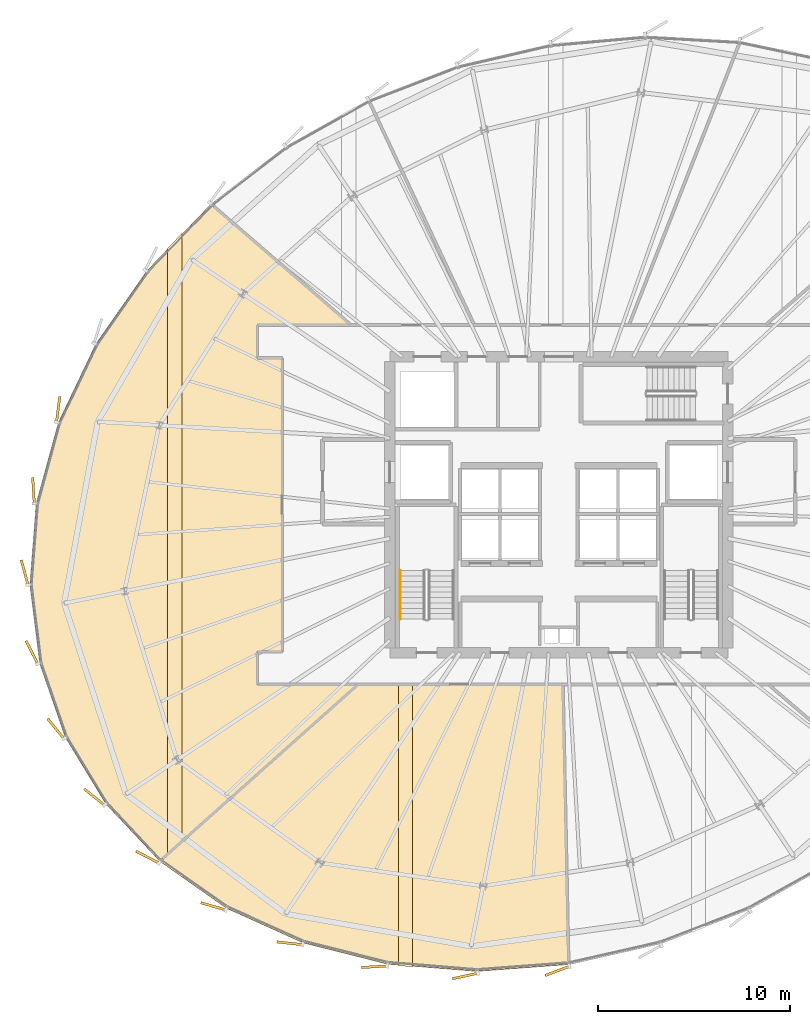
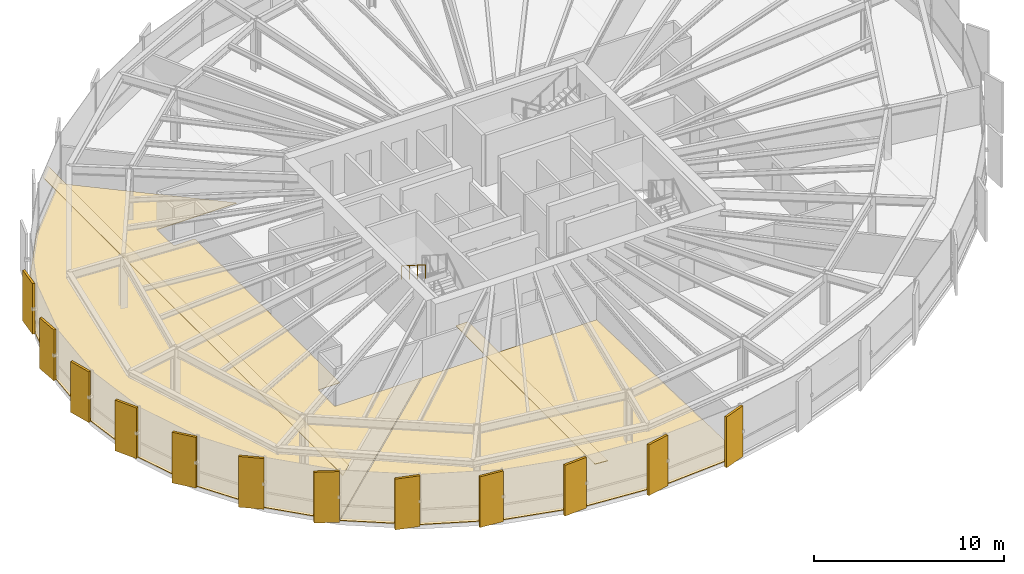
# One storey, part 32 of 35: 16 coverings, 1 railing.
"""IFC4 building model written with IfcOpenShell, lengths in metres."""

import ifcopenshell
import ifcopenshell.guid

model = None  # the IFC model being written
_history = None  # IfcOwnerHistory: only IFC2X3 demands one
_inside = {}  # id of a spatial element -> (the spatial element, [elements in it])
_under = {}  # id of a project, library or spatial element -> (it, [spatial elements below it])
_declared = {}  # id of a project -> (the project, [libraries it declares])
_typed = {}  # id of a type object -> (the type object, [elements of that type])
_made_of = {}  # id of a material, layer set ... -> (it, [elements and type objects made of it])


def new_model(schema):
    """Start an empty IFC model of exactly this schema.

    Asked for "IFC4X3", IfcOpenShell would pick the latest addendum, in which some entities
    have other attributes; the version numbers below select the first issue.
    IFC2X3 requires an IfcOwnerHistory on every rooted entity: one is made here for all.
    """
    global model, _history
    if schema == "IFC4X3":
        model = ifcopenshell.file(schema_version=(4, 3, 0, 0))
    else:
        model = ifcopenshell.file(schema=schema)
    _inside.clear()
    _under.clear()
    _declared.clear()
    _typed.clear()
    _made_of.clear()
    _history = None
    if model.schema == "IFC2X3":
        org = make("IfcOrganization", Name="unknown")
        user = make(
            "IfcPersonAndOrganization",
            ThePerson=make("IfcPerson", FamilyName="unknown"),
            TheOrganization=org,
        )
        app = make(
            "IfcApplication",
            ApplicationDeveloper=org,
            Version="unknown",
            ApplicationFullName="unknown",
            ApplicationIdentifier="unknown",
        )
        _history = make(
            "IfcOwnerHistory",
            OwningUser=user,
            OwningApplication=app,
            ChangeAction="ADDED",
            CreationDate=0,
        )
    return model


def make(cls, **values):
    """One entity of the class cls with the attributes given. An attribute that is None is left unset."""
    return model.create_entity(
        cls, **{name: value for name, value in values.items() if value is not None}
    )


def rooted(cls, **values):
    """An entity with a GlobalId (a new one), such as an element, a storey or a relation."""
    return make(cls, GlobalId=ifcopenshell.guid.new(), OwnerHistory=_history, **values)


def si_unit(unit_type, name, prefix=None):
    """IfcSIUnit, for example si_unit("LENGTHUNIT", "METRE", prefix="MILLI")."""
    return make("IfcSIUnit", UnitType=unit_type, Prefix=prefix, Name=name)


def assignment(units):
    """IfcUnitAssignment: the units of a project."""
    return None if units is None else make("IfcUnitAssignment", Units=units)


def point(xyz):
    """IfcCartesianPoint."""
    return None if xyz is None else make("IfcCartesianPoint", Coordinates=xyz)


def direction(xyz):
    """IfcDirection."""
    return None if xyz is None else make("IfcDirection", DirectionRatios=xyz)


def frame(location, z_axis=None, x_axis=None):
    """IfcAxis2Placement3D, a coordinate frame: its origin and axes. An axis left out is left unset."""
    return make(
        "IfcAxis2Placement3D",
        Location=point(location),
        Axis=direction(z_axis),
        RefDirection=direction(x_axis),
    )


def frame_2d(location, x_axis=None):
    """IfcAxis2Placement2D, a coordinate frame in the plane: its origin and x axis."""
    return make(
        "IfcAxis2Placement2D", Location=point(location), RefDirection=direction(x_axis)
    )


def origin():
    """The frame at (0, 0, 0) with its axes left unset."""
    return frame((0.0, 0.0, 0.0))


def origin_2d():
    """The frame at (0, 0) in the plane with its x axis left unset."""
    return frame_2d((0.0, 0.0))


def place(relative_to, where):
    """IfcLocalPlacement: puts the frame where relative to a parent placement (None: the world)."""
    return make(
        "IfcLocalPlacement", PlacementRelTo=relative_to, RelativePlacement=where
    )


def context(
    kind, dimensions, precision=None, world=None, true_north=None, identifier=None
):
    """IfcGeometricRepresentationContext, for example the 3D "Model" context."""
    return make(
        "IfcGeometricRepresentationContext",
        ContextIdentifier=identifier,
        ContextType=kind,
        CoordinateSpaceDimension=dimensions,
        Precision=precision,
        WorldCoordinateSystem=world,
        TrueNorth=true_north,
    )


def subcontext(parent, identifier, kind, view, scale=None):
    """IfcGeometricRepresentationSubContext, for example "Body" below "Model"."""
    return make(
        "IfcGeometricRepresentationSubContext",
        ContextIdentifier=identifier,
        ContextType=kind,
        ParentContext=parent,
        TargetScale=scale,
        TargetView=view,
    )


def project(units=None, contexts=None):
    """IfcProject with its units and contexts."""
    return rooted(
        "IfcProject",
        Name="project",
        RepresentationContexts=contexts,
        UnitsInContext=assignment(units),
    )


def spatial(cls, under=None, at=None, **own):
    """A site, building, storey or space (cls), placed at a placement, below another one or the project."""
    s = rooted(cls, ObjectPlacement=at, **own)
    if under is not None:
        _under.setdefault(under.id(), (under, []))[1].append(s)
    return s


def polyline(points):
    """IfcPolyline through the points."""
    return make("IfcPolyline", Points=[point(p) for p in points])


def profile(cls, at=None, kind="AREA", **sizes):
    """A parametric profile (cls). Its sizes go by their IFC names, for example OverallWidth=200.0."""
    return make(cls, ProfileType=kind, Position=at, **sizes)


def rectangle(**sizes):
    """IfcRectangleProfileDef."""
    return profile("IfcRectangleProfileDef", **sizes)


def circle(**sizes):
    """IfcCircleProfileDef."""
    return profile("IfcCircleProfileDef", **sizes)


def outline(outer, holes=None, kind="AREA"):
    """IfcArbitraryClosedProfileDef: a profile drawn as a closed curve; with holes, ...WithVoids."""
    if holes is None:
        return make("IfcArbitraryClosedProfileDef", ProfileType=kind, OuterCurve=outer)
    return make(
        "IfcArbitraryProfileDefWithVoids",
        ProfileType=kind,
        OuterCurve=outer,
        InnerCurves=holes,
    )


def extrude(swept, where, along, depth):
    """IfcExtrudedAreaSolid: the profile swept, set in the frame where, extruded along a direction by depth."""
    return make(
        "IfcExtrudedAreaSolid",
        SweptArea=swept,
        Position=where,
        ExtrudedDirection=direction(along),
        Depth=depth,
    )


def shape(context_of_items, identifier, shape_type, items):
    """IfcShapeRepresentation: the items that make up one representation, for example the "Body"."""
    return make(
        "IfcShapeRepresentation",
        ContextOfItems=context_of_items,
        RepresentationIdentifier=identifier,
        RepresentationType=shape_type,
        Items=items,
    )


def source(mapping_origin, context_of_items, identifier, shape_type, items):
    """IfcRepresentationMap: a shape defined once, which mapped items show again and again."""
    return make(
        "IfcRepresentationMap",
        MappingOrigin=mapping_origin,
        MappedRepresentation=shape(context_of_items, identifier, shape_type, items),
    )


def transform(
    local_origin,
    x_axis=None,
    y_axis=None,
    z_axis=None,
    scale=None,
    scale2=None,
    scale3=None,
    uniform=True,
):
    """IfcCartesianTransformationOperator3D, or its non-uniform kind. x_axis, y_axis, z_axis: its Axis1, 2, 3."""
    if uniform:
        return make(
            "IfcCartesianTransformationOperator3D",
            Axis1=direction(x_axis),
            Axis2=direction(y_axis),
            LocalOrigin=point(local_origin),
            Scale=scale,
            Axis3=direction(z_axis),
        )
    return make(
        "IfcCartesianTransformationOperator3DnonUniform",
        Axis1=direction(x_axis),
        Axis2=direction(y_axis),
        LocalOrigin=point(local_origin),
        Scale=scale,
        Axis3=direction(z_axis),
        Scale2=scale2,
        Scale3=scale3,
    )


def mapped(mapping_source, mapping_target):
    """IfcMappedItem: shows the shape of a source again, moved by a transform."""
    return make(
        "IfcMappedItem", MappingSource=mapping_source, MappingTarget=mapping_target
    )


def material(Name=None, Category=None):
    """IfcMaterial."""
    return make("IfcMaterial", Name=Name, Category=Category)


def layer(
    of_material, thickness, ventilated=None, Name=None, Category=None, Priority=None
):
    """IfcMaterialLayer: one layer of a wall or slab, of a material (None: an air gap)."""
    return make(
        "IfcMaterialLayer",
        Material=of_material,
        LayerThickness=thickness,
        IsVentilated=ventilated,
        Name=Name,
        Category=Category,
        Priority=Priority,
    )


def layer_set(layers, Name=None):
    """IfcMaterialLayerSet."""
    return make("IfcMaterialLayerSet", MaterialLayers=layers, LayerSetName=Name)


def made_of(thing, what):
    """Note that an element or type object is made of a material, layer set ...; save() writes the relation."""
    if what is not None:
        _made_of.setdefault(what.id(), (what, []))[1].append(thing)
    return thing


def type_object(cls, material=None, **own):
    """A type object (cls), such as IfcWallType, which elements share."""
    return made_of(rooted(cls, **own), material)


def element(
    cls,
    number,
    at=None,
    inside=None,
    cuts=None,
    type_object=None,
    material=None,
    context=None,
    identifier="Body",
    shape_type=None,
    held_by="IfcProductDefinitionShape",
    body=None,
    shapes=None,
    **own,
):
    """One element of the class cls, such as IfcWall. Its Tag is "e" and its number.

    at: its placement. inside: the storey or other place that contains it. cuts: it is an
    opening in that element (IfcRelVoidsElement). A single representation is given by context,
    identifier, shape_type and body (its items); several are given by shapes. held_by: the class
    of the entity that holds the representations. save() writes the other relations.
    """
    e = rooted(cls, Tag="e%d" % number, ObjectPlacement=at, **own)
    if body is not None:
        shapes = [shape(context, identifier, shape_type, body)]
    if shapes is not None:
        e.Representation = make(held_by, Representations=shapes)
    if inside is not None:
        _inside.setdefault(inside.id(), (inside, []))[1].append(e)
    if cuts is not None:
        rooted(
            "IfcRelVoidsElement", RelatingBuildingElement=cuts, RelatedOpeningElement=e
        )
    if type_object is not None:
        _typed.setdefault(type_object.id(), (type_object, []))[1].append(e)
    return made_of(e, material)


def aggregate(whole, parts):
    """IfcRelAggregates: a whole, such as a stair, and the parts it consists of."""
    return rooted("IfcRelAggregates", RelatingObject=whole, RelatedObjects=parts)


def save(model, path):
    """Write the relations noted so far, then the file.

    IfcRelAggregates (storeys below a building ...), IfcRelContainedInSpatialStructure (elements
    in a storey), IfcRelDefinesByType, IfcRelAssociatesMaterial and IfcRelDeclares: one each for
    every whole, place, type object, material and project.
    """
    for whole, parts in _under.values():
        aggregate(whole, parts)
    for where, things in _inside.values():
        rooted(
            "IfcRelContainedInSpatialStructure",
            RelatedElements=things,
            RelatingStructure=where,
        )
    for kind, things in _typed.values():
        rooted("IfcRelDefinesByType", RelatedObjects=things, RelatingType=kind)
    for what, things in _made_of.values():
        rooted("IfcRelAssociatesMaterial", RelatedObjects=things, RelatingMaterial=what)
    for by, libraries in _declared.values():
        rooted("IfcRelDeclares", RelatingContext=by, RelatedDefinitions=libraries)
    model.write(path)


model = new_model("IFC4")

# Units and contexts
model_context = context("Model", 3, precision=1e-05, world=origin(), true_north=direction((0.0, 1.0)))
body_context = subcontext(model_context, "Body", "Model", "MODEL_VIEW")
ifc_project = project(units=[si_unit("LENGTHUNIT", "METRE"), si_unit("AREAUNIT", "SQUARE_METRE"), si_unit("VOLUMEUNIT", "CUBIC_METRE"), si_unit("PLANEANGLEUNIT", "RADIAN"), si_unit("MASSUNIT", "GRAM", prefix="KILO"), si_unit("THERMODYNAMICTEMPERATUREUNIT", "KELVIN")], contexts=[model_context])

# Site, building, storey
site_placement = place(None, origin())
site = spatial("IfcSite", under=ifc_project, at=site_placement, CompositionType="ELEMENT")
building_placement = place(site_placement, origin())
building = spatial("IfcBuilding", under=site, at=building_placement, Name="Kethvar Cultural Tower", CompositionType="ELEMENT")
storey_placement = place(building_placement, frame((0.0, 0.0, 135.89990234375)))
storey = spatial("IfcBuildingStorey", under=building, at=storey_placement, Name="L34", CompositionType="ELEMENT", Elevation=135.89990234375)

# Coverings
ifc_material_1 = material(Name="Acoustic Mineral Fibre Ceiling")
ifc_layer_1 = layer(ifc_material_1, 0.0400390625, Name="Acoustic Mineral Fibre Ceiling")
ifc_layer_set_1 = layer_set([ifc_layer_1], Name="Acoustic Mineral Fibre Ceiling (40 mm)")
covering_type_1 = type_object("IfcCoveringType", Name="CV-ACOUSTIC-CEIL", PredefinedType="CEILING", material=ifc_layer_set_1)
covering_1_placement = place(storey_placement, frame((0.0, 0.0, 2.56005859375)))
element("IfcCovering", 1, at=covering_1_placement, inside=storey, type_object=covering_type_1, Name="L34 Room 01 Acoustic Ceiling Panel", PredefinedType="CEILING", context=body_context, shape_type="SweptSolid", body=[
    extrude(outline(polyline([(38.438720703125, 3.80810546875), (38.438720703125, 18.469970703125), (39.188720703125, 18.469970703125), (39.188720703125, 3.7470703125), (38.438720703125, 3.80810546875)])), origin(), (0.0, 0.0, 1.0), 0.0400390625),
])
covering_2_placement = place(storey_placement, frame((0.0, 0.0, 2.56005859375)))
element("IfcCovering", 2, at=covering_2_placement, inside=storey, type_object=covering_type_1, Name="L34 Room 08 Acoustic Ceiling Panel", PredefinedType="CEILING", context=body_context, shape_type="SweptSolid", body=[
    extrude(outline(polyline([(27.17431640625, 41.928466796875), (27.17431640625, 10.21728515625), (26.42431640625, 9.54638671875), (26.42431640625, 41.1484375), (27.17431640625, 41.928466796875)])), origin(), (0.0, 0.0, 1.0), 0.0400390625),
])
ifc_material_2 = material(Name="Honed Warm Limestone", Category="masonry")
ifc_layer_2 = layer(ifc_material_2, 0.030029296875, Name="Honed Warm Limestone", Category="masonry")
ifc_layer_set_2 = layer_set([ifc_layer_2], Name="Honed Warm Limestone (30 mm)")
covering_type_2 = type_object("IfcCoveringType", Name="CV-STONE-FLOOR", PredefinedType="FLOORING", material=ifc_layer_set_2)
covering_3_placement = place(storey_placement, origin())
element("IfcCovering", 3, at=covering_3_placement, inside=storey, type_object=covering_type_2, Name="L34 Room 01 Floor Finish", PredefinedType="FLOORING", context=body_context, shape_type="SweptSolid", body=[
    extrude(outline(polyline([(47.305908203125, 3.871826171875), (42.533447265625, 3.5146484375), (37.873291015625, 3.894287109375), (33.484619140625, 5.000244140625), (29.500732421875, 6.798583984375), (26.0615234375, 9.221923828125), (36.355224609375, 18.429931640625), (46.98583984375, 18.429931640625), (47.305908203125, 3.871826171875)])), origin(), (0.0, 0.0, 1.0), 0.030029296875),
])
covering_4_placement = place(storey_placement, origin())
element("IfcCovering", 4, at=covering_4_placement, inside=storey, type_object=covering_type_2, Name="L34 Room 08 Floor Finish", PredefinedType="FLOORING", context=body_context, shape_type="SweptSolid", body=[
    extrude(outline(polyline([(23.21533203125, 12.235595703125), (21.1044921875, 15.70849609375), (19.77392578125, 19.548828125), (19.264404296875, 23.639892578125), (19.59130859375, 27.857421875), (20.744873046875, 32.073486328125), (22.690185546875, 36.159912109375), (25.368408203125, 39.99267578125), (28.685546875, 43.4423828125), (35.93701171875, 37.169921875), (31.080810546875, 37.15576171875), (31.08447265625, 35.437255859375), (32.3798828125, 35.429931640625), (32.3798828125, 20.169921875), (31.08447265625, 20.16259765625), (31.080078125, 18.449951171875), (36.295166015625, 18.429931640625), (26.03076171875, 9.248046875), (23.21533203125, 12.235595703125)])), origin(), (0.0, 0.0, 1.0), 0.030029296875),
])

# Railing
ifc_material_3 = material(Name="Steel S355J2", Category="steel")
railing_type = type_object("IfcRailingType", Name="RL-STAIR-HANDRAIL", PredefinedType="HANDRAIL", material=ifc_material_3)
railing_placement = place(storey_placement, frame((38.5400390625, 24.3701171875, 1.95263671875)))
element("IfcRailing", 5, at=railing_placement, inside=storey, type_object=railing_type, Name="L34 ST-01 stair handrail 2", PredefinedType="HANDRAIL", context=body_context, shape_type="SweptSolid", body=[
    extrude(circle(Radius=0.02392578125, at=origin_2d()), frame((0.0, 0.0, 0.8759765625), z_axis=(0.0, -0.84460694969, 0.535386869969), x_axis=(1.0, 0.0, 0.0)), (0.0, 0.0, 1.0), 2.983642578125),
    extrude(circle(Radius=0.02099609375, at=origin_2d()), origin(), (0.0, 0.0, 1.0), 0.851806640625),
    extrude(circle(Radius=0.02099609375, at=origin_2d()), frame((0.0, -0.840087890625, 0.532470703125)), (0.0, 0.0, 1.0), 0.851806640625),
    extrude(circle(Radius=0.02099609375, at=origin_2d()), frame((0.0, -1.679931640625, 1.06494140625)), (0.0, 0.0, 1.0), 0.851806640625),
    extrude(circle(Radius=0.02099609375, at=origin_2d()), frame((0.0, -2.52001953125, 1.597412109375)), (0.0, 0.0, 1.0), 0.851806640625),
])

# Coverings
ifc_material_4 = material(Name="Extruded Architectural Terracotta", Category="masonry")
ifc_layer_3 = layer(ifc_material_4, 0.135009765625, Name="Extruded Architectural Terracotta", Category="masonry")
ifc_layer_set_3 = layer_set([ifc_layer_3], Name="Extruded Architectural Terracotta (135 mm)")
covering_type_3 = type_object("IfcCoveringType", Name="Terracotta Facade Fin FIN-02", PredefinedType="CLADDING", material=ifc_layer_set_3)
shared_shape = source(origin(), body_context, "Body", "SweptSolid", [
    extrude(rectangle(XDim=1.35009765625, YDim=0.135009765625, at=origin_2d()), origin(), (0.0, 0.0, 1.0), 3.260009765625),
])
for number, where, z_axis, x_axis, name in (
    (6, (20.734619140625, 32.771240234375, 0.02001953125), (0.0, 0.0, 1.0), (0.127064608601, 0.99189444259, 0.0), "L34 Vertical Terracotta Fin 3.3"),
    (7, (19.44970703125, 28.540771484375, 0.02001953125), (0.0, 0.0, 1.0), (-0.062267945373, 0.998059468659, 0.0), "L34 Vertical Terracotta Fin 3.4"),
    (8, (18.989013671875, 24.281005859375, 0.02001953125), (0.0, 0.0, 1.0), (-0.260504508643, 0.965472630879, 0.0), "L34 Vertical Terracotta Fin 3.5"),
    (9, (19.37109375, 20.118896484375, 0.02001953125), (0.0, 0.0, 1.0), (-0.455700271739, 0.890133283468, 0.0), "L34 Vertical Terracotta Fin 3.6"),
    (10, (20.610595703125, 16.1474609375, 0.02001953125), (0.0, 0.0, 1.0), (-0.633245802386, 0.773950743756, 0.0), "L34 Vertical Terracotta Fin 4.1"),
    (11, (22.6142578125, 12.590576171875, 0.02001953125), (0.0, 0.0, 1.0), (-0.780430407338, 0.625242656336, 0.0), "L34 Vertical Terracotta Fin 4.2"),
    (12, (25.3828125, 9.462890625, 0.02001953125), (0.0, 0.0, 1.0), (-0.889655587276, 0.456632167098, 0.0), "L34 Vertical Terracotta Fin 4.3"),
    (13, (28.81005859375, 6.89794921875, 0.02001953125), (0.0, 0.0, 1.0), (-0.959805291975, 0.280666708921, 0.0), "L34 Vertical Terracotta Fin 4.4"),
    (14, (32.787353515625, 4.975830078125, 0.02001953125), (0.0, 0.0, 1.0), (-0.994263515508, 0.106958224224, 0.0), "L34 Vertical Terracotta Fin 4.5"),
    (15, (37.189697265625, 3.75537109375, 0.02001953125), (0.0, 0.0, 1.0), (-0.998301386055, -0.058260986945, 0.0), "L34 Vertical Terracotta Fin 4.6"),
    (16, (41.918701171875, 3.274169921875, 0.02001953125), (0.0, 0.0, 1.0), (-0.977119876542, -0.212689320059, 0.0), "L34 Vertical Terracotta Fin 5.1"),
    (17, (46.713134765625, 3.535400390625, 0.02001953125), (0.0, 0.0, 1.0), (-0.934763684301, -0.355270114859, 0.0), "L34 Vertical Terracotta Fin 5.2"),
):
    element("IfcCovering", number, at=place(storey_placement, frame(where, z_axis=z_axis, x_axis=x_axis)), inside=storey, type_object=covering_type_3, Name=name, PredefinedType="CLADDING", context=body_context, shape_type="MappedRepresentation", body=[
        mapped(shared_shape, transform((0.0, 0.0, 0.0), scale=1.0)),
    ])

save(model, "model.ifc")
